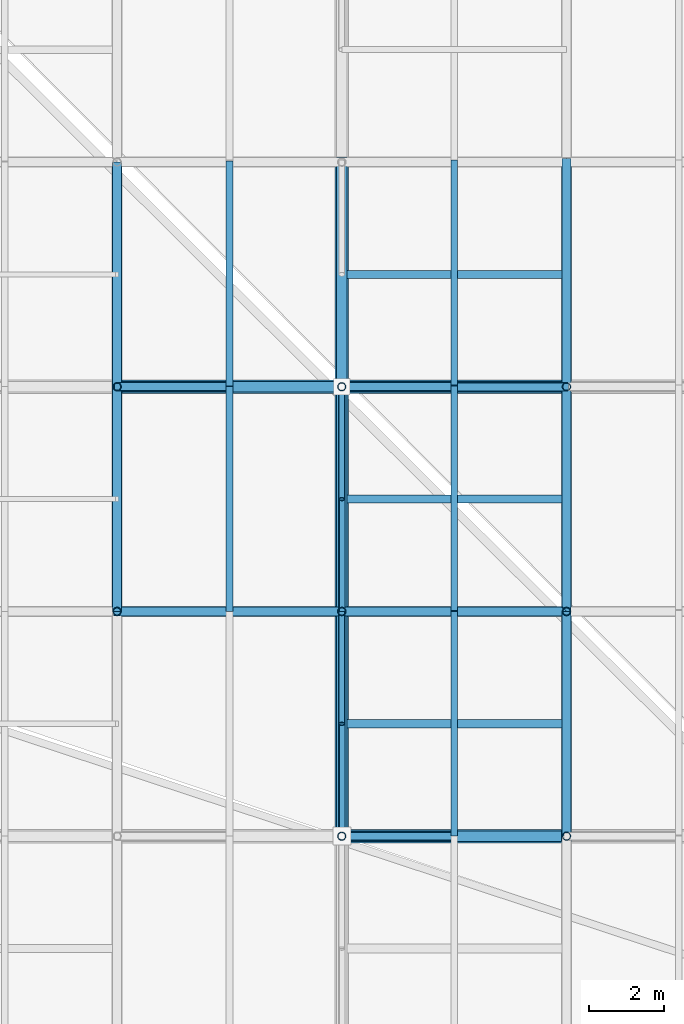
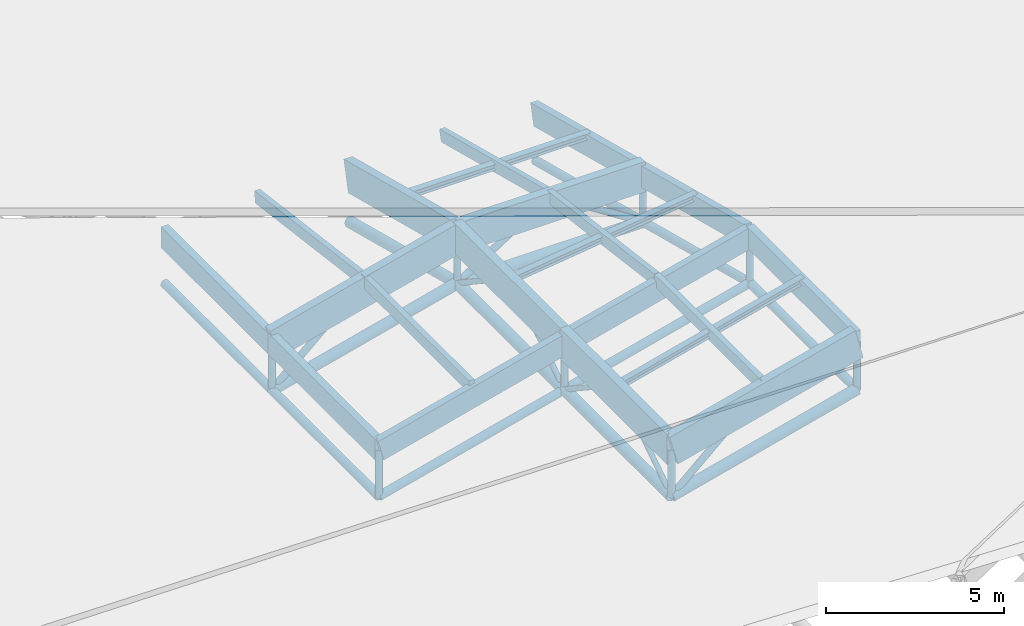
# One storey, part 19 of 80: 50 members.
"""IFC4 building model written with IfcOpenShell, lengths in metres."""

from ifc_helpers import new_model, si_unit, direction, frame, origin, origin_2d, place, context, subcontext, project, spatial, rectangle, hollow_circle, i_section, extrude, material, material_profile, profile_set, type_object, element, save


model = new_model("IFC4")

# Units and contexts
model_context = context("Model", 3, precision=1e-05, world=origin(), true_north=direction((0.0, 1.0)))
body_context = subcontext(model_context, "Body", "Model", "MODEL_VIEW")
ifc_project = project(units=[si_unit("LENGTHUNIT", "METRE"), si_unit("AREAUNIT", "SQUARE_METRE"), si_unit("VOLUMEUNIT", "CUBIC_METRE"), si_unit("PLANEANGLEUNIT", "RADIAN"), si_unit("MASSUNIT", "GRAM", prefix="KILO"), si_unit("THERMODYNAMICTEMPERATUREUNIT", "KELVIN"), si_unit("POWERUNIT", "WATT")], contexts=[model_context])

# Site, building, storey
site_placement = place(None, origin())
site = spatial("IfcSite", under=ifc_project, at=site_placement, CompositionType="ELEMENT")
building_placement = place(site_placement, origin())
building = spatial("IfcBuilding", under=site, at=building_placement, Name="Solmara Park Aquatics Centre", CompositionType="ELEMENT")
storey_placement = place(building_placement, frame((0.0, 0.0, 22.800048828125)))
storey = spatial("IfcBuildingStorey", under=building, at=storey_placement, Name="RF", CompositionType="ELEMENT", Elevation=22.800048828125)

# Members
ifc_material_1 = material(Name="Structural Steel S355", Category="steel")
ifc_material_profile_1 = material_profile(ifc_material_1, hollow_circle(Radius=0.084228515625, WallThickness=0.008056640625, at=origin_2d()), Name="CHS 168.3x8")
ifc_profile_set_1 = profile_set([ifc_material_profile_1], Name="Structural Steel S355")
member_type_1 = type_object("IfcMemberType", Name="STR-BRC-CHS168", PredefinedType="BRACE", material=ifc_profile_set_1)
for number, where, z_axis, x_axis, name in (
    (1, (24.60009765625, 48.60009765625, -8.0380859375), (0.0, 0.834611904619, 0.550838423377), (-1.0, 0.0, 0.0), "Roof Truss Web Diagonal Y 2048"),
    (2, (24.60009765625, 54.60009765625, -8.0380859375), (0.0, -0.834611904619, 0.550838423377), (1.0, 0.0, 0.0), "Roof Truss Web Diagonal Y 2049"),
    (3, (24.60009765625, 54.60009765625, -8.0380859375), (0.0, 0.834611904619, 0.550838423377), (-1.0, 0.0, 0.0), "Roof Truss Web Diagonal Y 2073"),
    (4, (24.60009765625, 60.60009765625, -8.0380859375), (0.0, -0.834611904619, 0.550838423377), (1.0, 0.0, 0.0), "Roof Truss Web Diagonal Y 2074"),
):
    element("IfcMember", number, at=place(storey_placement, frame(where, z_axis=z_axis, x_axis=x_axis)), inside=storey, type_object=member_type_1, Name=name, PredefinedType="BRACE", context=body_context, shape_type="SweptSolid", body=[
        extrude(hollow_circle(Radius=0.084228515625, WallThickness=0.008056640625, at=origin_2d()), origin(), (0.0, 0.0, 1.0), 3.594482421875),
    ])
ifc_material_profile_2 = material_profile(ifc_material_1, hollow_circle(Radius=0.109619140625, WallThickness=0.010009765625, at=origin_2d()), Name="CHS 219.1x10")
ifc_profile_set_2 = profile_set([ifc_material_profile_2], Name="Structural Steel S355")
member_type_2 = type_object("IfcMemberType", Name="STR-BRC-CHS219", PredefinedType="BRACE", material=ifc_profile_set_2)
for number, where, z_axis, x_axis, name in (
    (5, (18.60009765625, 60.60009765625, -9.58984375), (0.741347083846, 0.0, 0.671121822974), (0.0, 1.0, 0.0), "Roof Truss Web Diagonal X 1442"),
    (6, (24.60009765625, 48.60009765625, -8.0380859375), (0.741347083846, 0.0, 0.671121822974), (0.0, 1.0, 0.0), "Roof Truss Web Diagonal X 1468"),
):
    element("IfcMember", number, at=place(storey_placement, frame(where, z_axis=z_axis, x_axis=x_axis)), inside=storey, type_object=member_type_2, Name=name, PredefinedType="BRACE", context=body_context, shape_type="SweptSolid", body=[
        extrude(hollow_circle(Radius=0.109619140625, WallThickness=0.010009765625, at=origin_2d()), origin(), (0.0, 0.0, 1.0), 4.046630859375),
    ])
for number, where, z_axis, x_axis, name in (
    (7, (24.60009765625, 60.60009765625, -8.0380859375), (0.83972779743, 0.0, 0.543007574738), (0.0, 1.0, 0.0), "Roof Truss Web Diagonal X 1469"),
    (8, (30.60009765625, 60.60009765625, -8.0380859375), (-0.83972779743, 0.0, 0.543007574738), (0.0, -1.0, 0.0), "Roof Truss Web Diagonal X 1470"),
):
    element("IfcMember", number, at=place(storey_placement, frame(where, z_axis=z_axis, x_axis=x_axis)), inside=storey, type_object=member_type_2, Name=name, PredefinedType="BRACE", context=body_context, shape_type="SweptSolid", body=[
        extrude(hollow_circle(Radius=0.109619140625, WallThickness=0.010009765625, at=origin_2d()), origin(), (0.0, 0.0, 1.0), 3.572509765625),
    ])
ifc_material_profile_3 = material_profile(ifc_material_1, hollow_circle(Radius=0.136474609375, WallThickness=0.012451171875, at=origin_2d()), Name="CHS 273x12.5")
ifc_profile_set_3 = profile_set([ifc_material_profile_3], Name="Structural Steel S355")
member_type_3 = type_object("IfcMemberType", Name="STR-CHD-CHS273", PredefinedType="CHORD", material=ifc_profile_set_3)
for number, where, z_axis, x_axis, name in (
    (9, (18.60009765625, 54.60009765625, -9.58984375), (0.968145594442, 0.0, 0.250387914969), (0.0, 1.0, 0.0), "Steel Roof Truss Bottom Chord X 0332"),
    (10, (24.60009765625, 54.60009765625, -8.0380859375), (0.968145594442, 0.0, 0.250387914969), (0.0, 1.0, 0.0), "Steel Roof Truss Bottom Chord X 0334"),
):
    element("IfcMember", number, at=place(storey_placement, frame(where, z_axis=z_axis, x_axis=x_axis)), inside=storey, type_object=member_type_3, Name=name, PredefinedType="CHORD", context=body_context, shape_type="SweptSolid", body=[
        extrude(hollow_circle(Radius=0.136474609375, WallThickness=0.012451171875, at=origin_2d()), origin(), (0.0, 0.0, 1.0), 6.197509765625),
    ])
for number, where, z_axis, x_axis, name in (
    (11, (18.60009765625, 54.60009765625, -9.58984375), (0.0, 1.0, 0.0), (-1.0, 0.0, 0.0), "Steel Roof Truss Bottom Chord Y 0644"),
    (12, (18.60009765625, 60.60009765625, -9.58984375), (0.0, 1.0, 0.0), (-1.0, 0.0, 0.0), "Steel Roof Truss Bottom Chord Y 0646"),
    (13, (30.60009765625, 48.60009765625, -6.486328125), (0.0, 1.0, 0.0), (-1.0, 0.0, 0.0), "Steel Roof Truss Bottom Chord Y 0698"),
):
    element("IfcMember", number, at=place(storey_placement, frame(where, z_axis=z_axis, x_axis=x_axis)), inside=storey, type_object=member_type_3, Name=name, PredefinedType="CHORD", context=body_context, shape_type="SweptSolid", body=[
        extrude(hollow_circle(Radius=0.136474609375, WallThickness=0.012451171875, at=origin_2d()), origin(), (0.0, 0.0, 1.0), 6.0),
    ])
for number, where, z_axis, x_axis, name in (
    (14, (30.60009765625, 54.60009765625, -6.486328125), (0.0, 0.968145594442, -0.250387914969), (-1.0, 0.0, 0.0), "Steel Roof Truss Bottom Chord Y 0700"),
    (15, (30.60009765625, 60.60009765625, -8.0380859375), (0.0, 0.968145594442, -0.250387914969), (-1.0, 0.0, 0.0), "Steel Roof Truss Bottom Chord Y 0702"),
):
    element("IfcMember", number, at=place(storey_placement, frame(where, z_axis=z_axis, x_axis=x_axis)), inside=storey, type_object=member_type_3, Name=name, PredefinedType="CHORD", context=body_context, shape_type="SweptSolid", body=[
        extrude(hollow_circle(Radius=0.136474609375, WallThickness=0.012451171875, at=origin_2d()), origin(), (0.0, 0.0, 1.0), 6.197509765625),
    ])
ifc_material_profile_4 = material_profile(ifc_material_1, hollow_circle(Radius=0.177734375, WallThickness=0.01611328125, at=origin_2d()), Name="CHS 355.6x16")
ifc_profile_set_4 = profile_set([ifc_material_profile_4], Name="Structural Steel S355")
member_type_4 = type_object("IfcMemberType", Name="STR-CHD-CHS355", PredefinedType="CHORD", material=ifc_profile_set_4)
for number, where, z_axis, x_axis, name in (
    (16, (24.60009765625, 48.60009765625, -8.0380859375), (0.968145594442, 0.0, 0.250387914969), (0.0, 1.0, 0.0), "Steel Roof Truss Bottom Chord X 0298"),
    (17, (18.60009765625, 60.60009765625, -9.58984375), (0.968145594442, 0.0, 0.250387914969), (0.0, 1.0, 0.0), "Steel Roof Truss Bottom Chord X 0368"),
):
    element("IfcMember", number, at=place(storey_placement, frame(where, z_axis=z_axis, x_axis=x_axis)), inside=storey, type_object=member_type_4, Name=name, PredefinedType="CHORD", context=body_context, shape_type="SweptSolid", body=[
        extrude(hollow_circle(Radius=0.177734375, WallThickness=0.01611328125, at=origin_2d()), origin(), (0.0, 0.0, 1.0), 6.197509765625),
    ])
for number, where, z_axis, x_axis, name in (
    (18, (24.60009765625, 60.60009765625, -8.0380859375), (1.0, 0.0, 0.0), (0.0, 1.0, 0.0), "Steel Roof Truss Bottom Chord X 0370"),
    (19, (24.60009765625, 48.60009765625, -8.0380859375), (0.0, 1.0, 0.0), (-1.0, 0.0, 0.0), "Steel Roof Truss Bottom Chord Y 0670"),
    (20, (24.60009765625, 54.60009765625, -8.0380859375), (0.0, 1.0, 0.0), (-1.0, 0.0, 0.0), "Steel Roof Truss Bottom Chord Y 0672"),
):
    element("IfcMember", number, at=place(storey_placement, frame(where, z_axis=z_axis, x_axis=x_axis)), inside=storey, type_object=member_type_4, Name=name, PredefinedType="CHORD", context=body_context, shape_type="SweptSolid", body=[
        extrude(hollow_circle(Radius=0.177734375, WallThickness=0.01611328125, at=origin_2d()), origin(), (0.0, 0.0, 1.0), 6.0),
    ])
member_1_placement = place(storey_placement, frame((24.60009765625, 60.60009765625, -8.0380859375), z_axis=(0.0, 0.968145594442, -0.250387914969), x_axis=(-1.0, 0.0, 0.0)))
element("IfcMember", 21, at=member_1_placement, inside=storey, type_object=member_type_4, Name="Steel Roof Truss Bottom Chord Y 0674", PredefinedType="CHORD", context=body_context, shape_type="SweptSolid", body=[
    extrude(hollow_circle(Radius=0.177734375, WallThickness=0.01611328125, at=origin_2d()), origin(), (0.0, 0.0, 1.0), 6.197509765625),
])
ifc_material_2 = material(Name="Glulam Timber GL28h", Category="wood")
ifc_material_profile_5 = material_profile(ifc_material_2, rectangle(XDim=0.239990234375, YDim=0.719970703125, at=origin_2d()), Name="GL28h 240x720")
ifc_profile_set_5 = profile_set([ifc_material_profile_5], Name="Glulam Timber GL28h")
member_type_5 = type_object("IfcMemberType", Name="STR-CHD-GL240x720", PredefinedType="CHORD", material=ifc_profile_set_5)
member_2_placement = place(storey_placement, frame((18.60009765625, 54.60009765625, -7.9697265625), z_axis=(0.968145594442, 0.0, 0.250387914969), x_axis=(0.0, 1.0, 0.0)))
element("IfcMember", 22, at=member_2_placement, inside=storey, type_object=member_type_5, Name="Glulam Roof Truss Top Chord X 0331", PredefinedType="CHORD", context=body_context, shape_type="SweptSolid", body=[
    extrude(rectangle(XDim=0.239990234375, YDim=0.719970703125, at=origin_2d()), origin(), (0.0, 0.0, 1.0), 6.197509765625),
])
member_3_placement = place(storey_placement, frame((24.60009765625, 54.60009765625, -6.41796875), z_axis=(0.968155143395, 0.0, 0.250350990246), x_axis=(0.0, 1.0, 0.0)))
element("IfcMember", 23, at=member_3_placement, inside=storey, type_object=member_type_5, Name="Glulam Roof Truss Top Chord X 0333", PredefinedType="CHORD", context=body_context, shape_type="SweptSolid", body=[
    extrude(rectangle(XDim=0.239990234375, YDim=0.719970703125, at=origin_2d()), origin(), (0.0, 0.0, 1.0), 6.197265625),
])
for number, where, z_axis, x_axis, name in (
    (24, (18.60009765625, 54.60009765625, -7.9697265625), (0.0, 1.0, 0.0), (-1.0, 0.0, 0.0), "Glulam Roof Truss Top Chord Y 0643"),
    (25, (18.60009765625, 60.60009765625, -7.9697265625), (0.0, 1.0, 0.0), (-1.0, 0.0, 0.0), "Glulam Roof Truss Top Chord Y 0645"),
    (26, (30.60009765625, 48.60009765625, -4.866455078125), (0.0, 1.0, 0.0), (-1.0, 0.0, 0.0), "Glulam Roof Truss Top Chord Y 0697"),
):
    element("IfcMember", number, at=place(storey_placement, frame(where, z_axis=z_axis, x_axis=x_axis)), inside=storey, type_object=member_type_5, Name=name, PredefinedType="CHORD", context=body_context, shape_type="SweptSolid", body=[
        extrude(rectangle(XDim=0.239990234375, YDim=0.719970703125, at=origin_2d()), origin(), (0.0, 0.0, 1.0), 6.0),
    ])
member_4_placement = place(storey_placement, frame((30.60009765625, 54.60009765625, -4.866455078125), z_axis=(0.0, 0.968155143395, -0.250350990246), x_axis=(-1.0, 0.0, 0.0)))
element("IfcMember", 27, at=member_4_placement, inside=storey, type_object=member_type_5, Name="Glulam Roof Truss Top Chord Y 0699", PredefinedType="CHORD", context=body_context, shape_type="SweptSolid", body=[
    extrude(rectangle(XDim=0.239990234375, YDim=0.719970703125, at=origin_2d()), origin(), (0.0, 0.0, 1.0), 6.197265625),
])
member_5_placement = place(storey_placement, frame((30.60009765625, 60.60009765625, -6.41796875), z_axis=(0.0, 0.968145594442, -0.250387914969), x_axis=(-1.0, 0.0, 0.0)))
element("IfcMember", 28, at=member_5_placement, inside=storey, type_object=member_type_5, Name="Glulam Roof Truss Top Chord Y 0701", PredefinedType="CHORD", context=body_context, shape_type="SweptSolid", body=[
    extrude(rectangle(XDim=0.239990234375, YDim=0.719970703125, at=origin_2d()), origin(), (0.0, 0.0, 1.0), 6.197509765625),
])
ifc_material_profile_6 = material_profile(ifc_material_2, rectangle(XDim=0.280029296875, YDim=1.0400390625, at=origin_2d()), Name="GL28h 280x1040")
ifc_profile_set_6 = profile_set([ifc_material_profile_6], Name="Glulam Timber GL28h")
member_type_6 = type_object("IfcMemberType", Name="STR-CHD-GL280x1040", PredefinedType="CHORD", material=ifc_profile_set_6)
member_6_placement = place(storey_placement, frame((24.60009765625, 48.60009765625, -6.41796875), z_axis=(0.968155143395, 0.0, 0.250350990246), x_axis=(0.0, 1.0, 0.0)))
element("IfcMember", 29, at=member_6_placement, inside=storey, type_object=member_type_6, Name="Glulam Roof Truss Top Chord X 0297", PredefinedType="CHORD", context=body_context, shape_type="SweptSolid", body=[
    extrude(rectangle(XDim=0.280029296875, YDim=1.0400390625, at=origin_2d()), origin(), (0.0, 0.0, 1.0), 6.197265625),
])
member_7_placement = place(storey_placement, frame((18.60009765625, 60.60009765625, -7.9697265625), z_axis=(0.968145594442, 0.0, 0.250387914969), x_axis=(0.0, 1.0, 0.0)))
element("IfcMember", 30, at=member_7_placement, inside=storey, type_object=member_type_6, Name="Glulam Roof Truss Top Chord X 0367", PredefinedType="CHORD", context=body_context, shape_type="SweptSolid", body=[
    extrude(rectangle(XDim=0.280029296875, YDim=1.0400390625, at=origin_2d()), origin(), (0.0, 0.0, 1.0), 6.197509765625),
])
for number, where, z_axis, x_axis, name in (
    (31, (24.60009765625, 60.60009765625, -6.41796875), (1.0, 0.0, 0.0), (0.0, 1.0, 0.0), "Glulam Roof Truss Top Chord X 0369"),
    (32, (24.60009765625, 48.60009765625, -6.41796875), (0.0, 1.0, 0.0), (-1.0, 0.0, 0.0), "Glulam Roof Truss Top Chord Y 0669"),
    (33, (24.60009765625, 54.60009765625, -6.41796875), (0.0, 1.0, 0.0), (-1.0, 0.0, 0.0), "Glulam Roof Truss Top Chord Y 0671"),
):
    element("IfcMember", number, at=place(storey_placement, frame(where, z_axis=z_axis, x_axis=x_axis)), inside=storey, type_object=member_type_6, Name=name, PredefinedType="CHORD", context=body_context, shape_type="SweptSolid", body=[
        extrude(rectangle(XDim=0.280029296875, YDim=1.0400390625, at=origin_2d()), origin(), (0.0, 0.0, 1.0), 6.0),
    ])
member_8_placement = place(storey_placement, frame((24.60009765625, 60.60009765625, -6.41796875), z_axis=(0.0, 0.968145594442, -0.250387914969), x_axis=(-1.0, 0.0, 0.0)))
element("IfcMember", 34, at=member_8_placement, inside=storey, type_object=member_type_6, Name="Glulam Roof Truss Top Chord Y 0673", PredefinedType="CHORD", context=body_context, shape_type="SweptSolid", body=[
    extrude(rectangle(XDim=0.280029296875, YDim=1.0400390625, at=origin_2d()), origin(), (0.0, 0.0, 1.0), 6.197509765625),
])
ifc_material_profile_7 = material_profile(ifc_material_2, rectangle(XDim=0.179931640625, YDim=0.39990234375, at=origin_2d()), Name="GL28h 180x400")
ifc_profile_set_7 = profile_set([ifc_material_profile_7], Name="Glulam Timber GL28h")
member_type_7 = type_object("IfcMemberType", Name="STR-PRL-GL180x400", PredefinedType="PURLIN", material=ifc_profile_set_7)
member_9_placement = place(storey_placement, frame((21.60009765625, 54.60009765625, -6.8740234375), z_axis=(0.0, 1.0, 0.0), x_axis=(-1.0, 0.0, 0.0)))
element("IfcMember", 35, at=member_9_placement, inside=storey, type_object=member_type_7, Name="Glulam Roof Purlin 1430", PredefinedType="PURLIN", context=body_context, shape_type="SweptSolid", body=[
    extrude(rectangle(XDim=0.179931640625, YDim=0.39990234375, at=origin_2d()), origin(), (0.0, 0.0, 1.0), 6.0),
])
member_10_placement = place(storey_placement, frame((21.60009765625, 60.60009765625, -6.8740234375), z_axis=(0.0, 0.991747604197, -0.128205653423), x_axis=(-1.0, 0.0, 0.0)))
element("IfcMember", 36, at=member_10_placement, inside=storey, type_object=member_type_7, Name="Glulam Roof Purlin 1431", PredefinedType="PURLIN", context=body_context, shape_type="SweptSolid", body=[
    extrude(rectangle(XDim=0.179931640625, YDim=0.39990234375, at=origin_2d()), origin(), (0.0, 0.0, 1.0), 6.0498046875),
])
member_11_placement = place(storey_placement, frame((27.60009765625, 48.60009765625, -5.322265625), z_axis=(0.0, 1.0, 0.0), x_axis=(-1.0, 0.0, 0.0)))
element("IfcMember", 37, at=member_11_placement, inside=storey, type_object=member_type_7, Name="Glulam Roof Purlin 1455", PredefinedType="PURLIN", context=body_context, shape_type="SweptSolid", body=[
    extrude(rectangle(XDim=0.179931640625, YDim=0.39990234375, at=origin_2d()), origin(), (0.0, 0.0, 1.0), 6.0),
])
member_12_placement = place(storey_placement, frame((27.60009765625, 54.60009765625, -5.322265625), z_axis=(0.0, 0.991742472473, -0.128245344137), x_axis=(-1.0, 0.0, 0.0)))
element("IfcMember", 38, at=member_12_placement, inside=storey, type_object=member_type_7, Name="Glulam Roof Purlin 1456", PredefinedType="PURLIN", context=body_context, shape_type="SweptSolid", body=[
    extrude(rectangle(XDim=0.179931640625, YDim=0.39990234375, at=origin_2d()), origin(), (0.0, 0.0, 1.0), 6.050048828125),
])
member_13_placement = place(storey_placement, frame((27.60009765625, 60.60009765625, -6.09814453125), z_axis=(0.0, 0.968155143395, -0.250350990246), x_axis=(-1.0, 0.0, 0.0)))
element("IfcMember", 39, at=member_13_placement, inside=storey, type_object=member_type_7, Name="Glulam Roof Purlin 1457", PredefinedType="PURLIN", context=body_context, shape_type="SweptSolid", body=[
    extrude(rectangle(XDim=0.179931640625, YDim=0.39990234375, at=origin_2d()), origin(), (0.0, 0.0, 1.0), 6.197265625),
])
ifc_material_profile_8 = material_profile(ifc_material_1, i_section(OverallWidth=0.219970703125, OverallDepth=0.2099609375, WebThickness=0.007080078125, FlangeThickness=0.010986328125, FilletRadius=0.01806640625, at=origin_2d()), Name="HEA 220")
ifc_profile_set_8 = profile_set([ifc_material_profile_8], Name="Structural Steel S355")
member_type_8 = type_object("IfcMemberType", Name="STR-PRL-HEA220", PredefinedType="PURLIN", material=ifc_profile_set_8)
member_14_placement = place(storey_placement, frame((24.60009765625, 51.60009765625, -6.078125), z_axis=(0.968145594442, 0.0, 0.250387914969), x_axis=(0.0, 1.0, 0.0)))
element("IfcMember", 40, at=member_14_placement, inside=storey, type_object=member_type_8, Name="Glulam Secondary Roof Purlin 2037", PredefinedType="PURLIN", context=body_context, shape_type="SweptSolid", body=[
    extrude(i_section(OverallWidth=0.219970703125, OverallDepth=0.2099609375, WebThickness=0.007080078125, FlangeThickness=0.010986328125, FilletRadius=0.01806640625, at=origin_2d()), origin(), (0.0, 0.0, 1.0), 6.197509765625),
])
member_15_placement = place(storey_placement, frame((24.60009765625, 57.60009765625, -6.078125), z_axis=(0.991742472473, 0.0, 0.128245344137), x_axis=(0.0, 1.0, 0.0)))
element("IfcMember", 41, at=member_15_placement, inside=storey, type_object=member_type_8, Name="Glulam Secondary Roof Purlin 2062", PredefinedType="PURLIN", context=body_context, shape_type="SweptSolid", body=[
    extrude(i_section(OverallWidth=0.219970703125, OverallDepth=0.2099609375, WebThickness=0.007080078125, FlangeThickness=0.010986328125, FilletRadius=0.01806640625, at=origin_2d()), origin(), (0.0, 0.0, 1.0), 6.050048828125),
])
member_16_placement = place(storey_placement, frame((24.60009765625, 63.60009765625, -6.85400390625), z_axis=(1.0, 0.0, 0.0), x_axis=(0.0, 1.0, 0.0)))
element("IfcMember", 42, at=member_16_placement, inside=storey, type_object=member_type_8, Name="Glulam Secondary Roof Purlin 2087", PredefinedType="PURLIN", context=body_context, shape_type="SweptSolid", body=[
    extrude(i_section(OverallWidth=0.219970703125, OverallDepth=0.2099609375, WebThickness=0.007080078125, FlangeThickness=0.010986328125, FilletRadius=0.01806640625, at=origin_2d()), origin(), (0.0, 0.0, 1.0), 6.0),
])
ifc_material_profile_9 = material_profile(ifc_material_1, hollow_circle(Radius=0.109619140625, WallThickness=0.010009765625, at=origin_2d()), Name="CHS 219.1x10")
ifc_profile_set_9 = profile_set([ifc_material_profile_9], Name="Structural Steel S355")
member_type_9 = type_object("IfcMemberType", Name="STR-PST-CHS219", PredefinedType="POST", material=ifc_profile_set_9)
for number, where, z_axis, x_axis, name in (
    (43, (18.60009765625, 54.60009765625, -9.58984375), (0.0, 0.0, 1.0), (1.0, 0.0, 0.0), "Roof Truss Web Post 1123"),
    (44, (18.60009765625, 60.60009765625, -9.58984375), (0.0, 0.0, 1.0), (1.0, 0.0, 0.0), "Roof Truss Web Post 1124"),
    (45, (24.60009765625, 48.60009765625, -8.0380859375), (0.0, 0.0, 1.0), (1.0, 0.0, 0.0), "Roof Truss Web Post 1136"),
    (46, (24.60009765625, 54.60009765625, -8.0380859375), (0.0, 0.0, 1.0), (1.0, 0.0, 0.0), "Roof Truss Web Post 1137"),
    (47, (24.60009765625, 60.60009765625, -8.0380859375), (0.0, 0.0, 1.0), (1.0, 0.0, 0.0), "Roof Truss Web Post 1138"),
):
    element("IfcMember", number, at=place(storey_placement, frame(where, z_axis=z_axis, x_axis=x_axis)), inside=storey, type_object=member_type_9, Name=name, PredefinedType="POST", context=body_context, shape_type="SweptSolid", body=[
        extrude(hollow_circle(Radius=0.109619140625, WallThickness=0.010009765625, at=origin_2d()), origin(), (0.0, 0.0, 1.0), 1.6201171875),
    ])
for number, where, z_axis, x_axis, name in (
    (48, (30.60009765625, 48.60009765625, -6.486328125), (0.0, 0.0, 1.0), (1.0, 0.0, 0.0), "Roof Truss Web Post 1150"),
    (49, (30.60009765625, 54.60009765625, -6.486328125), (0.0, 0.0, 1.0), (1.0, 0.0, 0.0), "Roof Truss Web Post 1151"),
):
    element("IfcMember", number, at=place(storey_placement, frame(where, z_axis=z_axis, x_axis=x_axis)), inside=storey, type_object=member_type_9, Name=name, PredefinedType="POST", context=body_context, shape_type="SweptSolid", body=[
        extrude(hollow_circle(Radius=0.109619140625, WallThickness=0.010009765625, at=origin_2d()), origin(), (0.0, 0.0, 1.0), 1.619873046875),
    ])
member_17_placement = place(storey_placement, frame((30.60009765625, 60.60009765625, -8.0380859375), z_axis=(0.0, 0.0, 1.0), x_axis=(1.0, 0.0, 0.0)))
element("IfcMember", 50, at=member_17_placement, inside=storey, type_object=member_type_9, Name="Roof Truss Web Post 1152", PredefinedType="POST", context=body_context, shape_type="SweptSolid", body=[
    extrude(hollow_circle(Radius=0.109619140625, WallThickness=0.010009765625, at=origin_2d()), origin(), (0.0, 0.0, 1.0), 1.6201171875),
])

save(model, "model.ifc")
